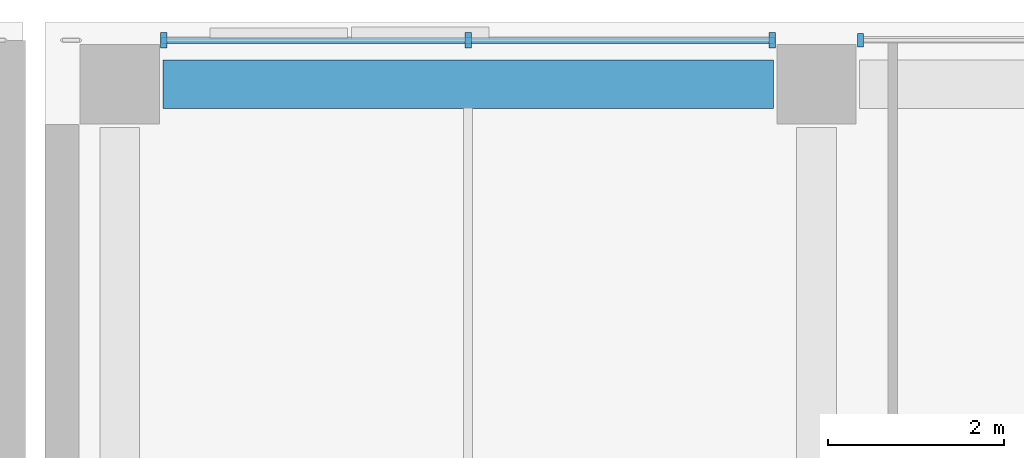
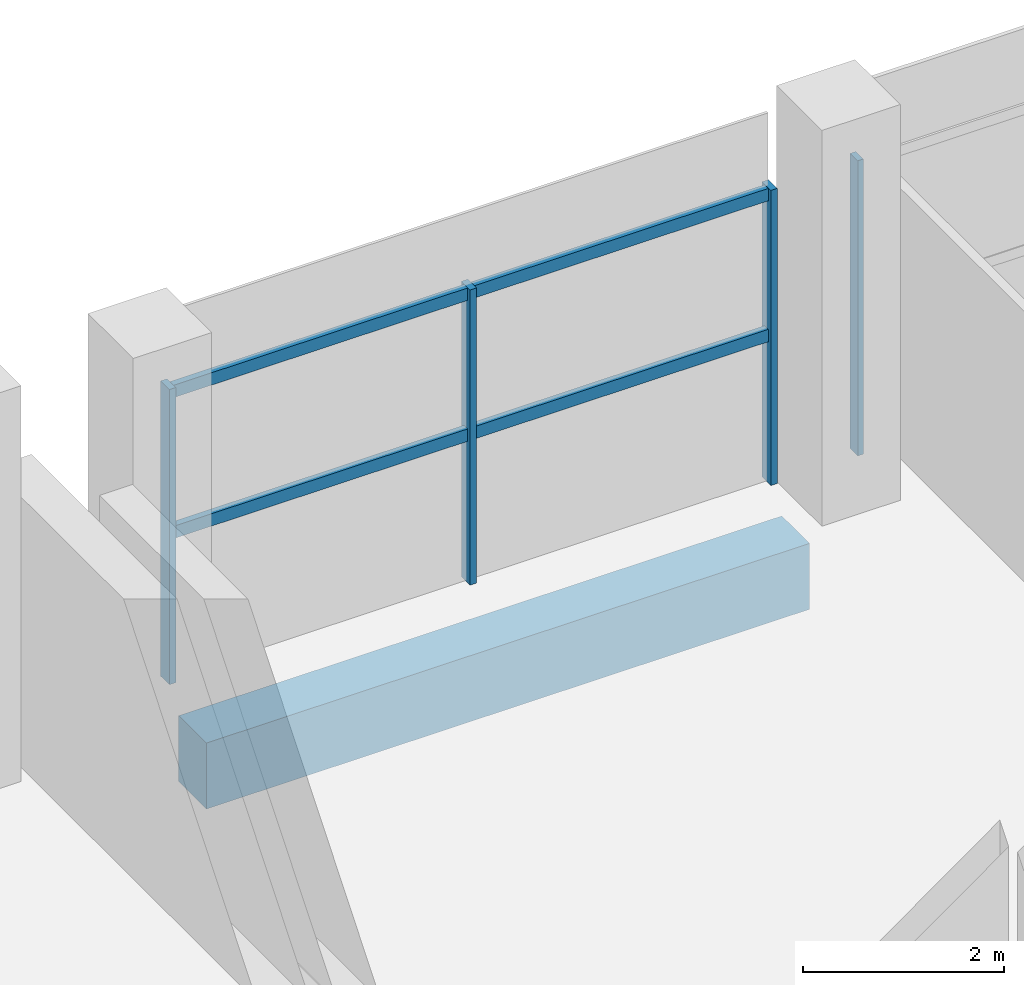
# One storey, part 30 of 100: 6 members, 1 beam, 2 elements without a shape of their own.
"""IFC4 building model written with IfcOpenShell, lengths in metres."""

from ifc_helpers import new_model, si_unit, direction, frame, origin, origin_2d, place, context, subcontext, project, spatial, rectangle, extrude, material, material_profile, profile_set, type_object, element, aggregate, save


model = new_model("IFC4")

# Units and contexts
model_context = context("Model", 3, precision=1e-05, world=origin(), true_north=direction((0.0, 1.0)))
body_context = subcontext(model_context, "Body", "Model", "MODEL_VIEW")
ifc_project = project(units=[si_unit("LENGTHUNIT", "METRE"), si_unit("AREAUNIT", "SQUARE_METRE"), si_unit("VOLUMEUNIT", "CUBIC_METRE"), si_unit("PLANEANGLEUNIT", "RADIAN"), si_unit("MASSUNIT", "GRAM", prefix="KILO"), si_unit("THERMODYNAMICTEMPERATUREUNIT", "KELVIN"), si_unit("POWERUNIT", "WATT")], contexts=[model_context])

# Site, building, storey
site_placement = place(None, origin())
site = spatial("IfcSite", under=ifc_project, at=site_placement, CompositionType="ELEMENT")
building_placement = place(site_placement, origin())
building = spatial("IfcBuilding", under=site, at=building_placement, Name="Sindhuravela Promenade Stadium", CompositionType="ELEMENT")
storey_placement = place(building_placement, frame((0.0, 0.0, 4.800048828125)))
storey = spatial("IfcBuildingStorey", under=building, at=storey_placement, Name="L01", CompositionType="ELEMENT", Elevation=4.800048828125)

# Curtain wall, members
ifc_material_1 = material(Name="Anodised architectural aluminium 6063-T6", Category="aluminium")
curtain_wall_type_1 = type_object("IfcCurtainWallType", Name="CW-MOD-3", PredefinedType="NOTDEFINED", material=ifc_material_1)
curtain_wall_1_placement = place(storey_placement, origin())
curtain_wall_1 = element("IfcCurtainWall", 1, at=curtain_wall_1_placement, inside=storey, type_object=curtain_wall_type_1, Name="Bronze curtain wall CW-NORTH-L01-138", PredefinedType="NOTDEFINED")
ifc_material_profile_1 = material_profile(ifc_material_1, rectangle(XDim=0.074951171875, YDim=0.175048828125, at=origin_2d()), Name="ALU MULL 75x175")
ifc_profile_set_1 = profile_set([ifc_material_profile_1], Name="Anodised architectural aluminium 6063-T6")
member_type_1 = type_object("IfcMemberType", Name="CW-MUL-1", PredefinedType="MULLION", material=ifc_profile_set_1)
member_1_placement = place(storey_placement, frame((55.60009765625, 161.800048828125, 0.0), z_axis=(0.0, 0.0, 1.0), x_axis=(1.0, 0.0, 0.0)))
member_1 = element("IfcMember", 2, at=member_1_placement, type_object=member_type_1, Name="Curtain wall mullion CW-NORTH-L01-138-M1", PredefinedType="MULLION", context=body_context, shape_type="SweptSolid", body=[
    extrude(rectangle(XDim=0.074951171875, YDim=0.175048828125, at=origin_2d()), origin(), (0.0, 0.0, 1.0), 3.579833984375),
])
member_2_placement = place(storey_placement, frame((59.050048828125, 161.800048828125, 0.0), z_axis=(0.0, 0.0, 1.0), x_axis=(1.0, 0.0, 0.0)))
member_2 = element("IfcMember", 3, at=member_2_placement, type_object=member_type_1, Name="Curtain wall mullion CW-NORTH-L01-138-M2", PredefinedType="MULLION", context=body_context, shape_type="SweptSolid", body=[
    extrude(rectangle(XDim=0.074951171875, YDim=0.175048828125, at=origin_2d()), origin(), (0.0, 0.0, 1.0), 3.579833984375),
])
member_3_placement = place(storey_placement, frame((62.5, 161.800048828125, 0.0), z_axis=(0.0, 0.0, 1.0), x_axis=(1.0, 0.0, 0.0)))
member_3 = element("IfcMember", 4, at=member_3_placement, type_object=member_type_1, Name="Curtain wall mullion CW-NORTH-L01-138-M3", PredefinedType="MULLION", context=body_context, shape_type="SweptSolid", body=[
    extrude(rectangle(XDim=0.074951171875, YDim=0.175048828125, at=origin_2d()), origin(), (0.0, 0.0, 1.0), 3.579833984375),
])

# Curtain wall, member
curtain_wall_type_2 = type_object("IfcCurtainWallType", Name="CW-MOD-4", PredefinedType="NOTDEFINED", material=ifc_material_1)
curtain_wall_2_placement = place(storey_placement, origin())
curtain_wall_2 = element("IfcCurtainWall", 5, at=curtain_wall_2_placement, inside=storey, type_object=curtain_wall_type_2, Name="Bronze curtain wall CW-NORTH-L01-139", PredefinedType="NOTDEFINED")
ifc_material_profile_2 = material_profile(ifc_material_1, rectangle(XDim=0.06494140625, YDim=0.14990234375, at=origin_2d()), Name="ALU MULL 65x150")
ifc_profile_set_2 = profile_set([ifc_material_profile_2], Name="Anodised architectural aluminium 6063-T6")
member_type_2 = type_object("IfcMemberType", Name="CW-MUL-2", PredefinedType="MULLION", material=ifc_profile_set_2)
member_4_placement = place(storey_placement, frame((63.5, 161.800048828125, 0.0), z_axis=(0.0, 0.0, 1.0), x_axis=(1.0, 0.0, 0.0)))
member_4 = element("IfcMember", 6, at=member_4_placement, type_object=member_type_2, Name="Curtain wall mullion CW-NORTH-L01-139-M1", PredefinedType="MULLION", context=body_context, shape_type="SweptSolid", body=[
    extrude(rectangle(XDim=0.06494140625, YDim=0.14990234375, at=origin_2d()), origin(), (0.0, 0.0, 1.0), 3.579833984375),
])
aggregate(curtain_wall_2, [member_4])

# Member
ifc_material_profile_3 = material_profile(ifc_material_1, rectangle(XDim=0.074951171875, YDim=0.14990234375, at=origin_2d()), Name="ALU TRAN 75x150")
ifc_profile_set_3 = profile_set([ifc_material_profile_3], Name="Anodised architectural aluminium 6063-T6")
member_type_3 = type_object("IfcMemberType", Name="CW-TRN-1", PredefinedType="USERDEFINED", material=ifc_profile_set_3)
member_5_placement = place(storey_placement, frame((55.574951171875, 161.800048828125, 1.7900390625), z_axis=(1.0, 0.0, 0.0), x_axis=(0.0, 1.0, 0.0)))
member_5 = element("IfcMember", 7, at=member_5_placement, type_object=member_type_3, Name="Curtain wall transom CW-NORTH-L01-138-T1", ObjectType="TRANSOM", PredefinedType="USERDEFINED", context=body_context, shape_type="SweptSolid", body=[
    extrude(rectangle(XDim=0.074951171875, YDim=0.14990234375, at=origin_2d()), origin(), (0.0, 0.0, 1.0), 6.949951171875),
])

member_6_placement = place(storey_placement, frame((55.574951171875, 161.800048828125, 3.5), z_axis=(1.0, 0.0, 0.0), x_axis=(0.0, 1.0, 0.0)))
member_6 = element("IfcMember", 8, at=member_6_placement, type_object=member_type_3, Name="Curtain wall transom CW-NORTH-L01-138-T2", ObjectType="TRANSOM", PredefinedType="USERDEFINED", context=body_context, shape_type="SweptSolid", body=[
    extrude(rectangle(XDim=0.074951171875, YDim=0.14990234375, at=origin_2d()), origin(), (0.0, 0.0, 1.0), 6.949951171875),
])

aggregate(curtain_wall_1, [member_1, member_2, member_3, member_5, member_6])

# Beam
ifc_material_2 = material(Name="Concrete M40", Category="concrete")
ifc_material_profile_4 = material_profile(ifc_material_2, rectangle(XDim=0.550048828125, YDim=0.800048828125, at=origin_2d()), Name="RC 550x800")
ifc_profile_set_4 = profile_set([ifc_material_profile_4], Name="Concrete M40")
beam_type = type_object("IfcBeamType", Name="RC-BM-550x800", PredefinedType="BEAM", material=ifc_profile_set_4)
beam_placement = place(storey_placement, frame((55.590087890625, 161.300048828125, -0.699951171875), z_axis=(1.0, 0.0, 0.0), x_axis=(0.0, 1.0, 0.0)))
element("IfcBeam", 9, at=beam_placement, inside=storey, type_object=beam_type, Name="Primary girder GB05 NORTH L01", PredefinedType="BEAM", context=body_context, shape_type="SweptSolid", body=[
    extrude(rectangle(XDim=0.550048828125, YDim=0.800048828125, at=origin_2d()), origin(), (0.0, 0.0, 1.0), 6.919921875),
])

save(model, "model.ifc")
